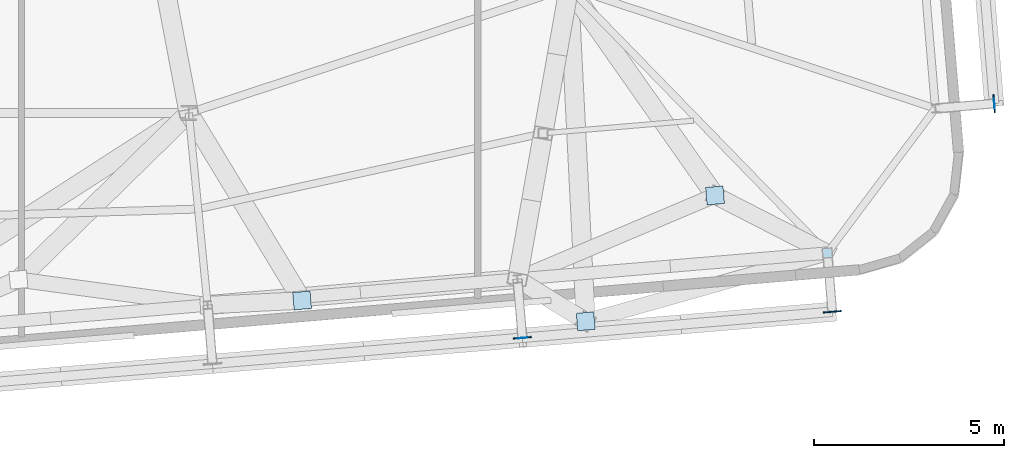
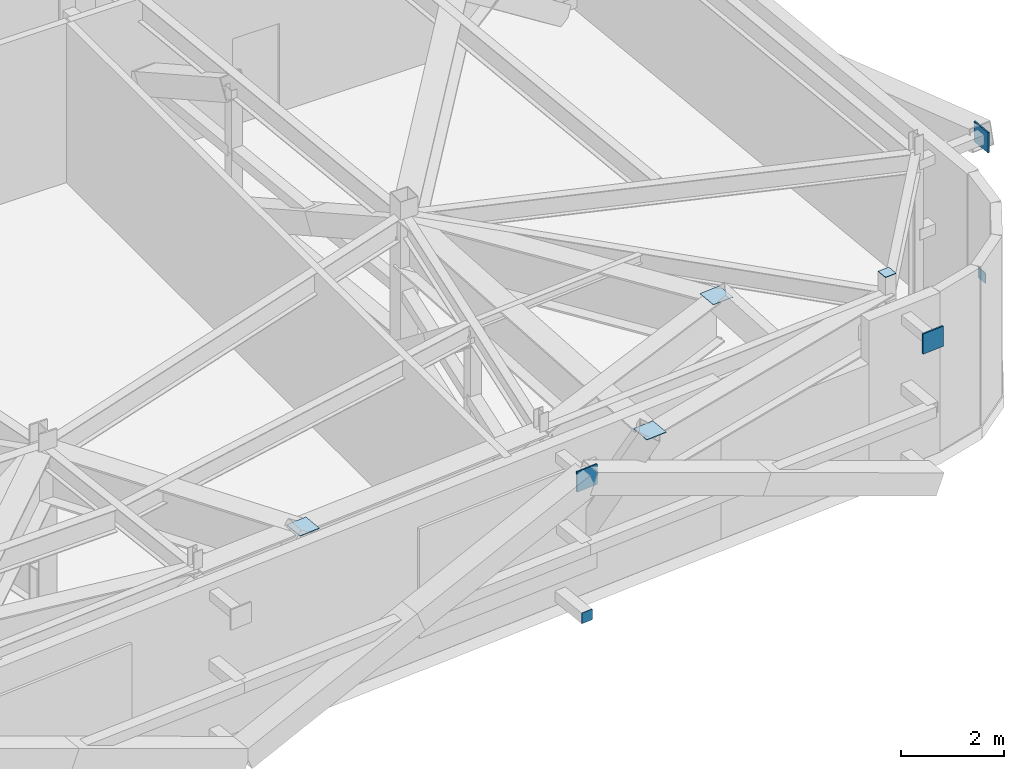
# One storey, part 18 of 26: 9 plates.
"""IFC4 building model written with IfcOpenShell, lengths in metres."""

from ifc_helpers import new_model, si_unit, direction, frame, origin, origin_2d, place, context, subcontext, project, spatial, rectangle, extrude, source, transform, mapped, material, layer, layer_set, type_object, element, save


model = new_model("IFC4")

# Units and contexts
model_context = context("Model", 3, precision=1e-05, world=origin(), true_north=direction((0.0, 1.0)))
body_context = subcontext(model_context, "Body", "Model", "MODEL_VIEW")
ifc_project = project(units=[si_unit("LENGTHUNIT", "METRE"), si_unit("AREAUNIT", "SQUARE_METRE"), si_unit("VOLUMEUNIT", "CUBIC_METRE"), si_unit("PLANEANGLEUNIT", "RADIAN"), si_unit("MASSUNIT", "GRAM", prefix="KILO")], contexts=[model_context])

# Site, building, storey
site_placement = place(None, origin())
site = spatial("IfcSite", under=ifc_project, at=site_placement, CompositionType="ELEMENT")
building_placement = place(site_placement, origin())
building = spatial("IfcBuilding", under=site, at=building_placement, Name="Taldren Reach Tower", CompositionType="ELEMENT")
storey_placement = place(building_placement, frame((0.0, 0.0, 207.199951171875)))
storey = spatial("IfcBuildingStorey", under=building, at=storey_placement, Name="L63", CompositionType="ELEMENT", Elevation=207.199951171875)

# Plates
ifc_material_1 = material(Name="Steel Gr 350 (C350L0)", Category="steel")
ifc_layer_1 = layer(ifc_material_1, 0.011962890625)
ifc_layer_set_1 = layer_set([ifc_layer_1], Name="Steel Gr 350 (C350L0)")
plate_type_1 = type_object("IfcPlateType", Name="PL-CAP-250", PredefinedType="SHEET", material=ifc_layer_set_1)
shared_shape_1 = source(origin(), body_context, "Body", "SweptSolid", [
    extrude(rectangle(XDim=0.25, YDim=0.011962890625, at=origin_2d()), origin(), (0.0, 0.0, 1.0), 0.25),
])
plate_1_placement = place(storey_placement, frame((50.775146484375, 3.281494140625, 0.094970703125), z_axis=(0.0, 0.0, 1.0), x_axis=(0.99649285925, 0.083677843332, 0.0)))
element("IfcPlate", 1, at=plate_1_placement, inside=storey, type_object=plate_type_1, Name="Tie strut end cap plate B4-S5 L63", PredefinedType="SHEET", context=body_context, shape_type="MappedRepresentation", body=[
    mapped(shared_shape_1, transform((0.0, 0.0, 0.0), scale=1.0)),
])
shared_shape_2 = source(origin(), body_context, "Body", "SweptSolid", [
    extrude(rectangle(XDim=0.011962890625, YDim=0.25, at=origin_2d()), origin(), (0.0, 0.0, 1.0), 0.25),
])
plate_2_placement = place(storey_placement, frame((63.188720703125, 9.44775390625, 0.094970703125), z_axis=(0.0, 0.0, 1.0), x_axis=(0.99649285925, 0.083677843332, 0.0)))
element("IfcPlate", 2, at=plate_2_placement, inside=storey, type_object=plate_type_1, Name="Tie strut end cap plate B4-E1 L63", PredefinedType="SHEET", context=body_context, shape_type="MappedRepresentation", body=[
    mapped(shared_shape_2, transform((0.0, 0.0, 0.0), scale=1.0)),
])
ifc_material_2 = material(Name="Steel Gr 450 (C450L0)", Category="steel")
ifc_layer_2 = layer(ifc_material_2, 0.011962890625)
ifc_layer_set_2 = layer_set([ifc_layer_2], Name="Steel Gr 450 (C450L0)")
plate_type_2 = type_object("IfcPlateType", Name="PL-CAP-460", PredefinedType="SHEET", material=ifc_layer_set_2)
shared_shape_3 = source(origin(), body_context, "Body", "SweptSolid", [
    extrude(rectangle(XDim=0.4599609375, YDim=0.4599609375, at=origin_2d()), origin(), (0.0, 0.0, 1.0), 0.011962890625),
])
for number, where, z_axis, x_axis, name in (
    (3, (44.980224609375, 4.26904296875, 3.76806640625), (0.0, 0.0, 1.0), (0.99649285925, 0.083677843332, 0.0), "Transfer strut end cap plate TS-B5-S5 L63"),
    (4, (52.440185546875, 3.72119140625, 3.76806640625), (0.0, 0.0, 1.0), (0.99649285925, 0.083677843332, 0.0), "Transfer strut end cap plate TS-B5-S6 L63"),
    (5, (55.841796875, 7.031005859375, 3.76806640625), (0.0, 0.0, 1.0), (0.99649285925, 0.083677843332, 0.0), "Transfer strut end cap plate TS-B5-E1 L63"),
):
    element("IfcPlate", number, at=place(storey_placement, frame(where, z_axis=z_axis, x_axis=x_axis)), inside=storey, type_object=plate_type_2, Name=name, PredefinedType="SHEET", context=body_context, shape_type="MappedRepresentation", body=[
        mapped(shared_shape_3, transform((0.0, 0.0, 0.0), scale=1.0)),
    ])
ifc_layer_3 = layer(ifc_material_2, 0.031982421875)
ifc_layer_set_3 = layer_set([ifc_layer_3], Name="Steel Gr 450 (C450L0)")
plate_type_3 = type_object("IfcPlateType", Name="PL-GUSSET-32", PredefinedType="SHEET", material=ifc_layer_set_3)
shared_shape_4 = source(origin(), body_context, "Body", "SweptSolid", [
    extrude(rectangle(XDim=0.47998046875, YDim=0.031982421875, at=origin_2d()), origin(), (0.0, 0.0, 1.0), 0.47998046875),
])
for number, where, z_axis, x_axis, name in (
    (6, (50.774658203125, 3.287353515625, 3.260009765625), (0.0, 0.0, 1.0), (0.99649285925, 0.083677843332, 0.0), "Exoskeleton star-node gusset plate B4-S5 L63"),
    (7, (58.926025390625, 3.971923828125, 3.260009765625), (0.0, 0.0, 1.0), (0.99649285925, 0.083677843332, 0.0), "Exoskeleton star-node gusset plate B4-S6 L63"),
    (8, (63.1826171875, 9.447265625, 3.260009765625), (0.0, 0.0, 1.0), (-0.083677843332, 0.99649285925, 0.0), "Exoskeleton star-node gusset plate B4-E1 L63"),
):
    element("IfcPlate", number, at=place(storey_placement, frame(where, z_axis=z_axis, x_axis=x_axis)), inside=storey, type_object=plate_type_3, Name=name, PredefinedType="SHEET", context=body_context, shape_type="MappedRepresentation", body=[
        mapped(shared_shape_4, transform((0.0, 0.0, 0.0), scale=1.0)),
    ])
shared_shape_5 = source(origin(), body_context, "Body", "SweptSolid", [
    extrude(rectangle(XDim=0.25, YDim=0.25, at=origin_2d()), origin(), (0.0, 0.0, 1.0), 0.011962890625),
])
plate_3_placement = place(storey_placement, frame((58.796142578125, 5.516357421875, 4.2001953125), z_axis=(0.0, 0.0, 1.0), x_axis=(0.99649285925, 0.083677843332, 0.0)))
element("IfcPlate", 9, at=plate_3_placement, inside=storey, type_object=plate_type_1, Name="Perimeter column end cap plate B4-S6 L63", PredefinedType="SHEET", context=body_context, shape_type="MappedRepresentation", body=[
    mapped(shared_shape_5, transform((0.0, 0.0, 0.0), scale=1.0)),
])

save(model, "model.ifc")
